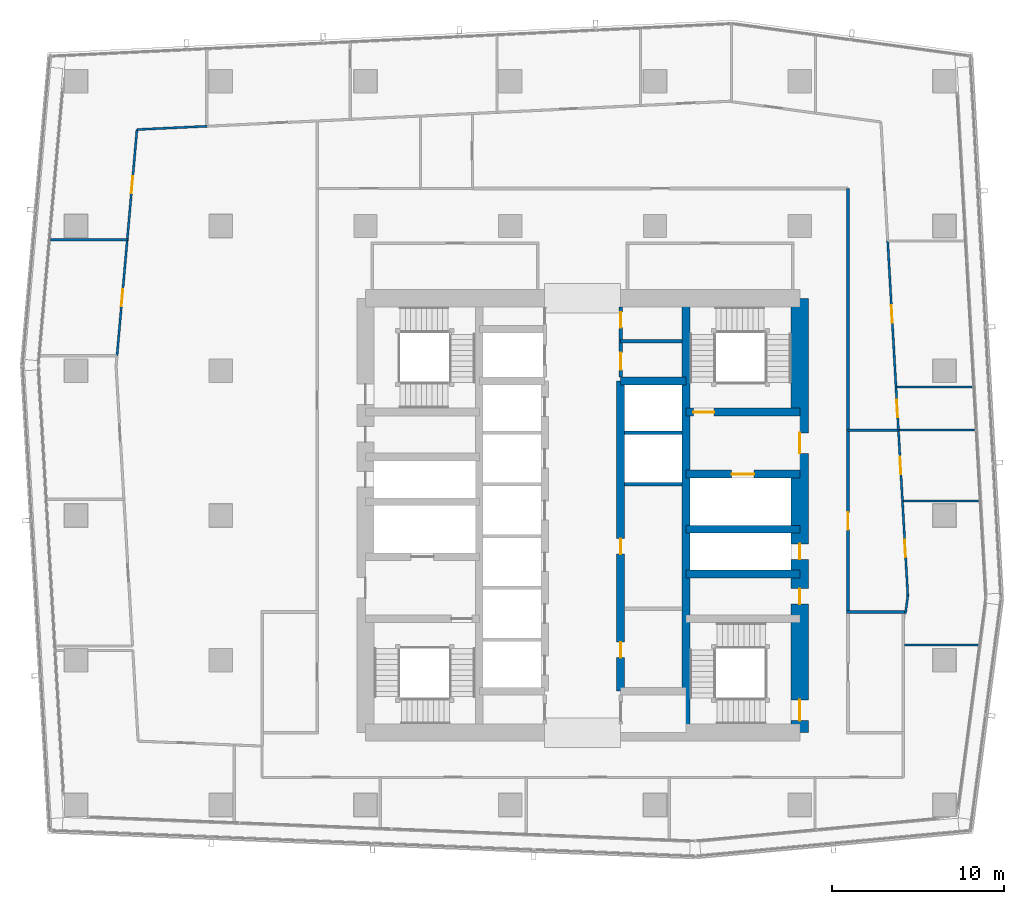
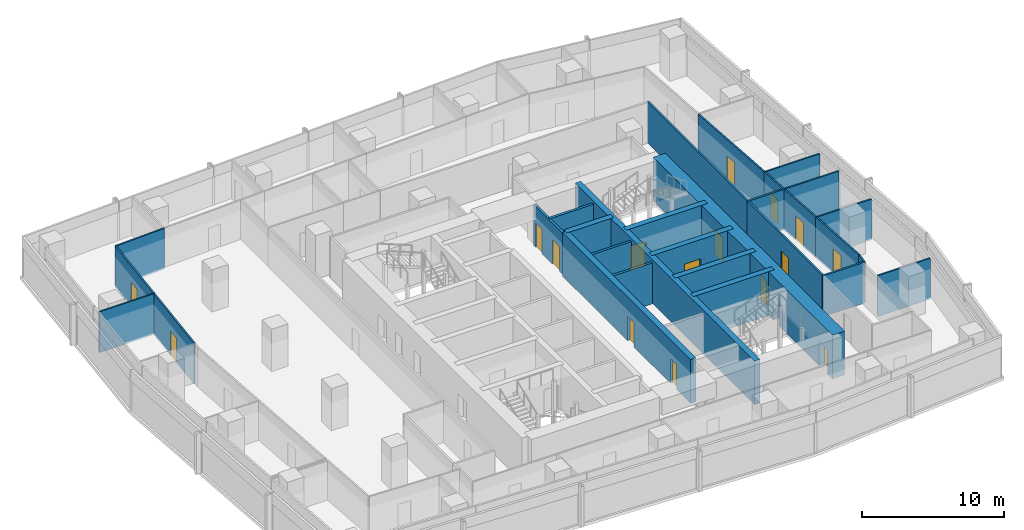
# One storey, part 29 of 39: 29 walls, 17 doors, 17 openings.
"""IFC4 building model written with IfcOpenShell, lengths in metres."""

from ifc_helpers import new_model, si_unit, direction, frame, frame_2d, origin, place, context, subcontext, project, spatial, rectangle, extrude, material, layer, layer_set, type_object, element, fill, save


model = new_model("IFC4")

# Units and contexts
model_context = context("Model", 3, precision=1e-05, world=origin(), true_north=direction((0.0, 1.0)))
body_context = subcontext(model_context, "Body", "Model", "MODEL_VIEW")
ifc_project = project(units=[si_unit("LENGTHUNIT", "METRE"), si_unit("AREAUNIT", "SQUARE_METRE"), si_unit("VOLUMEUNIT", "CUBIC_METRE"), si_unit("PLANEANGLEUNIT", "RADIAN"), si_unit("MASSUNIT", "GRAM", prefix="KILO")], contexts=[model_context])

# Site, building, storey
site_placement = place(None, origin())
site = spatial("IfcSite", under=ifc_project, at=site_placement, CompositionType="ELEMENT")
building_placement = place(site_placement, origin())
building = spatial("IfcBuilding", under=site, at=building_placement, Name="Rekha Terrace Tower", CompositionType="ELEMENT")
storey_placement = place(building_placement, frame((0.0, 0.0, 187.699951171875)))
storey = spatial("IfcBuildingStorey", under=building, at=storey_placement, Name="L47", CompositionType="ELEMENT", Elevation=187.699951171875)

# Wall
ifc_material_1 = material(Name="Concrete M60", Category="concrete")
ifc_layer_1 = layer(ifc_material_1, 0.449951171875)
ifc_layer_set_1 = layer_set([ifc_layer_1], Name="Concrete M60")
wall_type_1 = type_object("IfcWallType", Name="CI3 450 core internal shear wall", PredefinedType="SHEAR", material=ifc_layer_set_1)
wall_1_placement = place(storey_placement, frame((43.800048828125, 21.0, 0.0), z_axis=(0.0, 0.0, 1.0), x_axis=(0.0, 1.0, 0.0)))
element("IfcWall", 1, at=wall_1_placement, inside=storey, type_object=wall_type_1, Name="Core wall X438 L47", PredefinedType="SHEAR", context=body_context, shape_type="SweptSolid", body=[
    extrude(rectangle(XDim=25.199951171875, YDim=0.449951171875, at=frame_2d((12.60009765625, 0.0))), origin(), (0.0, 0.0, 1.0), 3.75),
])

# Wall, openings, doors
wall_2_placement = place(storey_placement, frame((40.0, 23.39990234375, 0.0), z_axis=(0.0, 0.0, 1.0), x_axis=(0.0, 1.0, 0.0)))
wall_2 = element("IfcWall", 2, at=wall_2_placement, inside=storey, type_object=wall_type_1, Name="Core wall X400 L47", PredefinedType="SHEAR", context=body_context, shape_type="SweptSolid", body=[
    extrude(rectangle(XDim=18.0, YDim=0.449951171875, at=frame_2d((9.0, 0.0))), origin(), (0.0, 0.0, 1.0), 3.75),
])
opening_1_placement = place(wall_2_placement, frame((1.949951171875, 0.0, 0.0)))
opening_1 = element("IfcOpeningElement", 3, at=opening_1_placement, cuts=wall_2, Name="Opening D5", PredefinedType="OPENING", context=body_context, shape_type="SweptSolid", body=[
    extrude(rectangle(XDim=0.89990234375, YDim=2.10009765625, at=frame_2d((0.449951171875, 1.050048828125))), frame((0.0, 0.23486328125, 0.0), z_axis=(0.0, -1.0, 0.0), x_axis=(1.0, 0.0, 0.0)), (0.0, 0.0, 1.0), 0.469970703125),
])
opening_2_placement = place(wall_2_placement, frame((7.949951171875, 0.0, 0.0)))
opening_2 = element("IfcOpeningElement", 4, at=opening_2_placement, cuts=wall_2, Name="Opening D5", PredefinedType="OPENING", context=body_context, shape_type="SweptSolid", body=[
    extrude(rectangle(XDim=0.89990234375, YDim=2.10009765625, at=frame_2d((0.449951171875, 1.050048828125))), frame((0.0, 0.23486328125, 0.0), z_axis=(0.0, -1.0, 0.0), x_axis=(1.0, 0.0, 0.0)), (0.0, 0.0, 1.0), 0.469970703125),
])
ifc_material_2 = material(Name="Steel fire door", Category="steel")
door_type_1 = type_object("IfcDoorType", Name="D5 900x2100 riser access door", OperationType="SINGLE_SWING_LEFT", PredefinedType="DOOR", material=ifc_material_2)
door_1_placement = place(opening_1_placement, origin())
door_1 = element("IfcDoor", 5, at=door_1_placement, inside=storey, type_object=door_type_1, Name="Door records store L47", OperationType="SINGLE_SWING_LEFT", OverallHeight=2.10009765625, OverallWidth=0.89990234375, PredefinedType="DOOR", context=body_context, shape_type="SweptSolid", body=[
    extrude(rectangle(XDim=0.89990234375, YDim=2.10009765625, at=frame_2d((0.449951171875, 1.050048828125))), frame((0.0, 0.02490234375, 0.0), z_axis=(0.0, -1.0, 0.0), x_axis=(1.0, 0.0, 0.0)), (0.0, 0.0, 1.0), 0.050048828125),
])
fill(opening_1, door_1)
door_2_placement = place(opening_2_placement, origin())
door_2 = element("IfcDoor", 6, at=door_2_placement, inside=storey, type_object=door_type_1, Name="Door back-of-house store L47", OperationType="SINGLE_SWING_LEFT", OverallHeight=2.10009765625, OverallWidth=0.89990234375, PredefinedType="DOOR", context=body_context, shape_type="SweptSolid", body=[
    extrude(rectangle(XDim=0.89990234375, YDim=2.10009765625, at=frame_2d((0.449951171875, 1.050048828125))), frame((0.0, 0.02490234375, 0.0), z_axis=(0.0, -1.0, 0.0), x_axis=(1.0, 0.0, 0.0)), (0.0, 0.0, 1.0), 0.050048828125),
])
fill(opening_2, door_2)

# Walls
wall_3_placement = place(storey_placement, frame((40.0, 41.39990234375, 0.0), z_axis=(0.0, 0.0, 1.0), x_axis=(1.0, 0.0, 0.0)))
element("IfcWall", 7, at=wall_3_placement, inside=storey, type_object=wall_type_1, Name="Core wall Y414E L47", PredefinedType="SHEAR", context=body_context, shape_type="SweptSolid", body=[
    extrude(rectangle(XDim=3.800048828125, YDim=0.449951171875, at=frame_2d((1.89990234375, 0.0))), origin(), (0.0, 0.0, 1.0), 3.75),
])
for number, where, z_axis, x_axis, name in (
    (8, (43.800048828125, 30.199951171875, 0.0), (0.0, 0.0, 1.0), (1.0, 0.0, 0.0), "Core wall Y302E L47"),
    (9, (43.800048828125, 32.800048828125, 0.0), (0.0, 0.0, 1.0), (1.0, 0.0, 0.0), "Core wall Y328E L47"),
):
    element("IfcWall", number, at=place(storey_placement, frame(where, z_axis=z_axis, x_axis=x_axis)), inside=storey, type_object=wall_type_1, Name=name, PredefinedType="SHEAR", context=body_context, shape_type="SweptSolid", body=[
        extrude(rectangle(XDim=6.599853515625, YDim=0.449951171875, at=frame_2d((3.2998046875, 0.0))), origin(), (0.0, 0.0, 1.0), 3.75),
    ])

# Wall, opening, door
wall_4_placement = place(storey_placement, frame((43.800048828125, 36.0, 0.0), z_axis=(0.0, 0.0, 1.0), x_axis=(1.0, 0.0, 0.0)))
wall_4 = element("IfcWall", 10, at=wall_4_placement, inside=storey, type_object=wall_type_1, Name="Core wall Y360E L47", PredefinedType="SHEAR", context=body_context, shape_type="SweptSolid", body=[
    extrude(rectangle(XDim=6.599853515625, YDim=0.449951171875, at=frame_2d((3.2998046875, 0.0))), origin(), (0.0, 0.0, 1.0), 3.75),
])
opening_3_placement = place(wall_4_placement, frame((2.64990234375, 0.0, 0.0)))
opening_3 = element("IfcOpeningElement", 11, at=opening_3_placement, cuts=wall_4, Name="Opening LD2", PredefinedType="OPENING", context=body_context, shape_type="SweptSolid", body=[
    extrude(rectangle(XDim=1.300048828125, YDim=2.10009765625, at=frame_2d((0.64990234375, 1.050048828125))), frame((0.0, 0.23486328125, 0.0), z_axis=(0.0, -1.0, 0.0), x_axis=(1.0, 0.0, 0.0)), (0.0, 0.0, 1.0), 0.469970703125),
])
ifc_material_3 = material(Name="Stainless steel sliding landing door", Category="steel")
door_type_2 = type_object("IfcDoorType", Name="LD2 1300x2100 fire lift landing door", OperationType="SLIDING_TO_LEFT", PredefinedType="USERDEFINED", material=ifc_material_3)
door_3_placement = place(opening_3_placement, origin())
door_3 = element("IfcDoor", 12, at=door_3_placement, inside=storey, type_object=door_type_2, Name="Lift FL2 landing door L47", ObjectType="LIFT LANDING DOOR", OperationType="SLIDING_TO_LEFT", OverallHeight=2.10009765625, OverallWidth=1.300048828125, PredefinedType="USERDEFINED", context=body_context, shape_type="SweptSolid", body=[
    extrude(rectangle(XDim=1.300048828125, YDim=2.10009765625, at=frame_2d((0.64990234375, 1.050048828125))), frame((0.0, 0.02490234375, 0.0), z_axis=(0.0, -1.0, 0.0), x_axis=(1.0, 0.0, 0.0)), (0.0, 0.0, 1.0), 0.050048828125),
])
fill(opening_3, door_3)

wall_5_placement = place(storey_placement, frame((43.800048828125, 39.60009765625, 0.0), z_axis=(0.0, 0.0, 1.0), x_axis=(1.0, 0.0, 0.0)))
wall_5 = element("IfcWall", 13, at=wall_5_placement, inside=storey, type_object=wall_type_1, Name="Core wall Y396E L47", PredefinedType="SHEAR", context=body_context, shape_type="SweptSolid", body=[
    extrude(rectangle(XDim=6.599853515625, YDim=0.449951171875, at=frame_2d((3.2998046875, 0.0))), origin(), (0.0, 0.0, 1.0), 3.75),
])
opening_4_placement = place(wall_5_placement, frame((0.425048828125, 0.0, 0.0)))
opening_4 = element("IfcOpeningElement", 14, at=opening_4_placement, cuts=wall_5, Name="Opening D1", PredefinedType="OPENING", context=body_context, shape_type="SweptSolid", body=[
    extrude(rectangle(XDim=1.199951171875, YDim=2.10009765625, at=frame_2d((0.60009765625, 1.050048828125))), frame((0.0, 0.23486328125, 0.0), z_axis=(0.0, -1.0, 0.0), x_axis=(1.0, 0.0, 0.0)), (0.0, 0.0, 1.0), 0.469970703125),
])
door_type_3 = type_object("IfcDoorType", Name="D1 1200x2100 stair fire door", OperationType="SINGLE_SWING_RIGHT", PredefinedType="DOOR", material=ifc_material_2)
door_4_placement = place(opening_4_placement, origin())
door_4 = element("IfcDoor", 15, at=door_4_placement, inside=storey, type_object=door_type_3, Name="Stair ST2 door L47", OperationType="SINGLE_SWING_RIGHT", OverallHeight=2.10009765625, OverallWidth=1.199951171875, PredefinedType="DOOR", context=body_context, shape_type="SweptSolid", body=[
    extrude(rectangle(XDim=1.199951171875, YDim=2.10009765625, at=frame_2d((0.60009765625, 1.050048828125))), frame((0.0, 0.02490234375, 0.0), z_axis=(0.0, -1.0, 0.0), x_axis=(1.0, 0.0, 0.0)), (0.0, 0.0, 1.0), 0.050048828125),
])
fill(opening_4, door_4)

# Wall, openings, doors
ifc_layer_2 = layer(ifc_material_1, 1.0)
ifc_layer_set_2 = layer_set([ifc_layer_2], Name="Concrete M60")
wall_type_2 = type_object("IfcWallType", Name="SW3 1000 core outer shear wall", PredefinedType="SHEAR", material=ifc_layer_set_2)
wall_6_placement = place(storey_placement, frame((50.39990234375, 21.0, 0.0), z_axis=(0.0, 0.0, 1.0), x_axis=(0.0, 1.0, 0.0)))
wall_6 = element("IfcWall", 16, at=wall_6_placement, inside=storey, type_object=wall_type_2, Name="Core wall E L47", PredefinedType="SHEAR", context=body_context, shape_type="SweptSolid", body=[
    extrude(rectangle(XDim=25.199951171875, YDim=1.0, at=frame_2d((12.60009765625, 0.0))), origin(), (0.0, 0.0, 1.0), 3.75),
])
opening_5_placement = place(wall_6_placement, frame((16.199951171875, 0.0, 0.0)))
opening_5 = element("IfcOpeningElement", 17, at=opening_5_placement, cuts=wall_6, Name="Opening D2", PredefinedType="OPENING", context=body_context, shape_type="SweptSolid", body=[
    extrude(rectangle(XDim=1.199951171875, YDim=2.10009765625, at=frame_2d((0.60009765625, 1.050048828125))), frame((0.0, 0.510009765625, 0.0), z_axis=(0.0, -1.0, 0.0), x_axis=(1.0, 0.0, 0.0)), (0.0, 0.0, 1.0), 1.02001953125),
])
opening_6_placement = place(wall_6_placement, frame((10.050048828125, 0.0, 0.0)))
opening_6 = element("IfcOpeningElement", 18, at=opening_6_placement, cuts=wall_6, Name="Opening D5", PredefinedType="OPENING", context=body_context, shape_type="SweptSolid", body=[
    extrude(rectangle(XDim=0.89990234375, YDim=2.10009765625, at=frame_2d((0.449951171875, 1.050048828125))), frame((0.0, 0.510009765625, 0.0), z_axis=(0.0, -1.0, 0.0), x_axis=(1.0, 0.0, 0.0)), (0.0, 0.0, 1.0), 1.02001953125),
])
opening_7_placement = place(wall_6_placement, frame((7.449951171875, 0.0, 0.0)))
opening_7 = element("IfcOpeningElement", 19, at=opening_7_placement, cuts=wall_6, Name="Opening D5", PredefinedType="OPENING", context=body_context, shape_type="SweptSolid", body=[
    extrude(rectangle(XDim=0.89990234375, YDim=2.10009765625, at=frame_2d((0.449951171875, 1.050048828125))), frame((0.0, 0.510009765625, 0.0), z_axis=(0.0, -1.0, 0.0), x_axis=(1.0, 0.0, 0.0)), (0.0, 0.0, 1.0), 1.02001953125),
])
opening_8_placement = place(wall_6_placement, frame((0.699951171875, 0.0, 0.0)))
opening_8 = element("IfcOpeningElement", 20, at=opening_8_placement, cuts=wall_6, Name="Opening D1", PredefinedType="OPENING", context=body_context, shape_type="SweptSolid", body=[
    extrude(rectangle(XDim=1.199951171875, YDim=2.10009765625, at=frame_2d((0.60009765625, 1.050048828125))), frame((0.0, 0.510009765625, 0.0), z_axis=(0.0, -1.0, 0.0), x_axis=(1.0, 0.0, 0.0)), (0.0, 0.0, 1.0), 1.02001953125),
])
door_5_placement = place(opening_8_placement, origin())
door_5 = element("IfcDoor", 21, at=door_5_placement, inside=storey, type_object=door_type_3, Name="Stair ST3 door L47", OperationType="SINGLE_SWING_RIGHT", OverallHeight=2.10009765625, OverallWidth=1.199951171875, PredefinedType="DOOR", context=body_context, shape_type="SweptSolid", body=[
    extrude(rectangle(XDim=1.199951171875, YDim=2.10009765625, at=frame_2d((0.60009765625, 1.050048828125))), frame((0.0, 0.02490234375, 0.0), z_axis=(0.0, -1.0, 0.0), x_axis=(1.0, 0.0, 0.0)), (0.0, 0.0, 1.0), 0.050048828125),
])
fill(opening_8, door_5)
door_type_4 = type_object("IfcDoorType", Name="D2 1200x2100 firefighting lobby door", OperationType="SINGLE_SWING_LEFT", PredefinedType="DOOR", material=ifc_material_2)
door_6_placement = place(opening_5_placement, origin())
door_6 = element("IfcDoor", 22, at=door_6_placement, inside=storey, type_object=door_type_4, Name="Door flb2 L47", OperationType="SINGLE_SWING_LEFT", OverallHeight=2.10009765625, OverallWidth=1.199951171875, PredefinedType="DOOR", context=body_context, shape_type="SweptSolid", body=[
    extrude(rectangle(XDim=1.199951171875, YDim=2.10009765625, at=frame_2d((0.60009765625, 1.050048828125))), frame((0.0, 0.02490234375, 0.0), z_axis=(0.0, -1.0, 0.0), x_axis=(1.0, 0.0, 0.0)), (0.0, 0.0, 1.0), 0.050048828125),
])
fill(opening_5, door_6)
door_7_placement = place(opening_6_placement, origin())
door_7 = element("IfcDoor", 23, at=door_7_placement, inside=storey, type_object=door_type_1, Name="Door rs2 L47", OperationType="SINGLE_SWING_LEFT", OverallHeight=2.10009765625, OverallWidth=0.89990234375, PredefinedType="DOOR", context=body_context, shape_type="SweptSolid", body=[
    extrude(rectangle(XDim=0.89990234375, YDim=2.10009765625, at=frame_2d((0.449951171875, 1.050048828125))), frame((0.0, 0.02490234375, 0.0), z_axis=(0.0, -1.0, 0.0), x_axis=(1.0, 0.0, 0.0)), (0.0, 0.0, 1.0), 0.050048828125),
])
fill(opening_6, door_7)
door_8_placement = place(opening_7_placement, origin())
door_8 = element("IfcDoor", 24, at=door_8_placement, inside=storey, type_object=door_type_1, Name="Door ele L47", OperationType="SINGLE_SWING_LEFT", OverallHeight=2.10009765625, OverallWidth=0.89990234375, PredefinedType="DOOR", context=body_context, shape_type="SweptSolid", body=[
    extrude(rectangle(XDim=0.89990234375, YDim=2.10009765625, at=frame_2d((0.449951171875, 1.050048828125))), frame((0.0, 0.02490234375, 0.0), z_axis=(0.0, -1.0, 0.0), x_axis=(1.0, 0.0, 0.0)), (0.0, 0.0, 1.0), 0.050048828125),
])
fill(opening_7, door_8)

# Wall
ifc_material_4 = material(Name="Concrete block masonry, 1 hour", Category="masonry")
ifc_layer_3 = layer(ifc_material_4, 0.14990234375)
ifc_layer_set_3 = layer_set([ifc_layer_3], Name="Concrete block masonry, 1 hour")
wall_type_3 = type_object("IfcWallType", Name="WP2 150 tenancy partition", PredefinedType="PARTITIONING", material=ifc_layer_set_3)
wall_7_placement = place(storey_placement, frame((53.125, 28.0, 0.0), z_axis=(0.0, 0.0, 1.0), x_axis=(1.0, 0.0, 0.0)))
element("IfcWall", 25, at=wall_7_placement, inside=storey, type_object=wall_type_3, Name="Men's WC wall L47", PredefinedType="PARTITIONING", context=body_context, shape_type="SweptSolid", body=[
    extrude(rectangle(XDim=3.35009765625, YDim=0.14990234375, at=frame_2d((1.675048828125, 0.0))), origin(), (0.0, 0.0, 1.0), 3.5),
])

# Wall, opening, door
wall_8_placement = place(storey_placement, frame((53.199951171875, 28.074951171875, 0.0), z_axis=(0.0, 0.0, 1.0), x_axis=(0.0, 1.0, 0.0)))
wall_8 = element("IfcWall", 26, at=wall_8_placement, inside=storey, type_object=wall_type_3, Name="Partition L47-O1", PredefinedType="PARTITIONING", context=body_context, shape_type="SweptSolid", body=[
    extrude(rectangle(XDim=10.47998046875, YDim=0.14990234375, at=frame_2d((5.239990234375, 0.0))), origin(), (0.0, 0.0, 1.0), 3.5),
])
opening_9_placement = place(wall_8_placement, frame((4.702880859375, 0.0, 0.0)))
opening_9 = element("IfcOpeningElement", 27, at=opening_9_placement, cuts=wall_8, Name="Opening D9", PredefinedType="OPENING", context=body_context, shape_type="SweptSolid", body=[
    extrude(rectangle(XDim=1.0, YDim=2.10009765625, at=frame_2d((0.5, 1.050048828125))), frame((0.0, 0.0849609375, 0.0), z_axis=(0.0, -1.0, 0.0), x_axis=(1.0, 0.0, 0.0)), (0.0, 0.0, 1.0), 0.169921875),
])
ifc_material_5 = material(Name="Timber fire door", Category="wood")
door_type_5 = type_object("IfcDoorType", Name="D9 1000x2100 office door", OperationType="SINGLE_SWING_LEFT", PredefinedType="DOOR", material=ifc_material_5)
door_9_placement = place(opening_9_placement, origin())
door_9 = element("IfcDoor", 28, at=door_9_placement, inside=storey, type_object=door_type_5, Name="Door open-plan office L47", OperationType="SINGLE_SWING_LEFT", OverallHeight=2.10009765625, OverallWidth=1.0, PredefinedType="DOOR", context=body_context, shape_type="SweptSolid", body=[
    extrude(rectangle(XDim=1.0, YDim=2.10009765625, at=frame_2d((0.5, 1.050048828125))), frame((0.0, 0.02490234375, 0.0), z_axis=(0.0, -1.0, 0.0), x_axis=(1.0, 0.0, 0.0)), (0.0, 0.0, 1.0), 0.050048828125),
])
fill(opening_9, door_9)

# Walls
wall_9_placement = place(storey_placement, frame((53.199951171875, 38.554931640625, 0.0), z_axis=(0.0, 0.0, 1.0), x_axis=(1.0, 0.0, 0.0)))
element("IfcWall", 29, at=wall_9_placement, inside=storey, type_object=wall_type_3, Name="Partition L47-O1", PredefinedType="PARTITIONING", context=body_context, shape_type="SweptSolid", body=[
    extrude(rectangle(XDim=2.924072265625, YDim=0.14990234375, at=frame_2d((1.4619140625, 0.0))), origin(), (0.0, 0.0, 1.0), 3.5),
])
wall_10_placement = place(storey_placement, frame((53.199951171875, 38.555908203125, 0.0), z_axis=(0.0, 0.0, 1.0), x_axis=(0.0, 1.0, 0.0)))
element("IfcWall", 30, at=wall_10_placement, inside=storey, type_object=wall_type_3, Name="Partition L47-O2", PredefinedType="PARTITIONING", context=body_context, shape_type="SweptSolid", body=[
    extrude(rectangle(XDim=14.01904296875, YDim=0.14990234375, at=frame_2d((7.009521484375, 0.0))), origin(), (0.0, 0.0, 1.0), 3.5),
])
ifc_material_6 = material(Name="Two layers of fire-rated gypsum board each side on steel studs, acoustic quilt, 1 hour", Category="steel")
ifc_layer_4 = layer(ifc_material_6, 0.125)
ifc_layer_set_4 = layer_set([ifc_layer_4], Name="Two layers of fire-rated gypsum board each side on steel studs, acoustic quilt, 1 hour")
wall_type_4 = type_object("IfcWallType", Name="WP3 125 office partition", PredefinedType="PARTITIONING", material=ifc_layer_set_4)
wall_11_placement = place(storey_placement, frame((56.47509765625, 26.0830078125, 0.0), z_axis=(0.0, 0.0, 1.0), x_axis=(1.0, 0.0, 0.0)))
element("IfcWall", 31, at=wall_11_placement, inside=storey, type_object=wall_type_4, Name="Partition L47-04", PredefinedType="PARTITIONING", context=body_context, shape_type="SweptSolid", body=[
    extrude(rectangle(XDim=4.302978515625, YDim=0.125, at=frame_2d((2.1513671875, 0.0))), origin(), (0.0, 0.0, 1.0), 3.5),
])

# Wall, opening, door
wall_12_placement = place(storey_placement, frame((56.6689453125, 28.948974609375, 0.0), z_axis=(0.0, 0.0, 1.0), x_axis=(-0.056624490323, 0.998395546412, 0.0)))
wall_12 = element("IfcWall", 32, at=wall_12_placement, inside=storey, type_object=wall_type_4, Name="Partition L47-05", PredefinedType="PARTITIONING", context=body_context, shape_type="SweptSolid", body=[
    extrude(rectangle(XDim=5.492919921875, YDim=0.125, at=frame_2d((2.74658203125, 0.0))), origin(), (0.0, 0.0, 1.0), 3.5),
])
opening_10_placement = place(wall_12_placement, frame((2.24609375, 0.0, 0.0)))
opening_10 = element("IfcOpeningElement", 33, at=opening_10_placement, cuts=wall_12, Name="Opening D9", PredefinedType="OPENING", context=body_context, shape_type="SweptSolid", body=[
    extrude(rectangle(XDim=1.0, YDim=2.10009765625, at=frame_2d((0.5, 1.050048828125))), frame((0.0, 0.072509765625, 0.0), z_axis=(0.0, -1.0, 0.0), x_axis=(1.0, 0.0, 0.0)), (0.0, 0.0, 1.0), 0.14501953125),
])
door_10_placement = place(opening_10_placement, origin())
door_10 = element("IfcDoor", 34, at=door_10_placement, inside=storey, type_object=door_type_5, Name="Door office L47", OperationType="SINGLE_SWING_LEFT", OverallHeight=2.10009765625, OverallWidth=1.0, PredefinedType="DOOR", context=body_context, shape_type="SweptSolid", body=[
    extrude(rectangle(XDim=1.0, YDim=2.10009765625, at=frame_2d((0.5, 1.050048828125))), frame((0.0, 0.02490234375, 0.0), z_axis=(0.0, -1.0, 0.0), x_axis=(1.0, 0.0, 0.0)), (0.0, 0.0, 1.0), 0.050048828125),
])
fill(opening_10, door_10)

# Walls
wall_13_placement = place(storey_placement, frame((56.35791015625, 34.43310546875, 0.0), z_axis=(0.0, 0.0, 1.0), x_axis=(1.0, 0.0, 0.0)))
element("IfcWall", 35, at=wall_13_placement, inside=storey, type_object=wall_type_4, Name="Partition L47-05", PredefinedType="PARTITIONING", context=body_context, shape_type="SweptSolid", body=[
    extrude(rectangle(XDim=4.45703125, YDim=0.125, at=frame_2d((2.228515625, 0.0))), origin(), (0.0, 0.0, 1.0), 3.5),
])
wall_14_placement = place(storey_placement, frame((56.532958984375, 27.91796875, 0.0), z_axis=(0.0, 0.0, 1.0), x_axis=(0.130764223689, 0.991413494866, 0.0)))
element("IfcWall", 36, at=wall_14_placement, inside=storey, type_object=wall_type_4, Name="Partition L47-05", PredefinedType="PARTITIONING", context=body_context, shape_type="SweptSolid", body=[
    extrude(rectangle(XDim=1.0400390625, YDim=0.125, at=frame_2d((0.52001953125, 0.0))), origin(), (0.0, 0.0, 1.0), 3.5),
])

# Wall, opening, door
wall_15_placement = place(storey_placement, frame((56.35791015625, 34.43408203125, 0.0), z_axis=(0.0, 0.0, 1.0), x_axis=(-0.056665720273, 0.998393207181, 0.0)))
wall_15 = element("IfcWall", 37, at=wall_15_placement, inside=storey, type_object=wall_type_4, Name="Partition L47-06", PredefinedType="PARTITIONING", context=body_context, shape_type="SweptSolid", body=[
    extrude(rectangle(XDim=4.12744140625, YDim=0.125, at=frame_2d((2.063720703125, 0.0))), origin(), (0.0, 0.0, 1.0), 3.5),
])
opening_11_placement = place(wall_15_placement, frame((1.56396484375, 0.0, 0.0)))
opening_11 = element("IfcOpeningElement", 38, at=opening_11_placement, cuts=wall_15, Name="Opening D9", PredefinedType="OPENING", context=body_context, shape_type="SweptSolid", body=[
    extrude(rectangle(XDim=1.0, YDim=2.10009765625, at=frame_2d((0.5, 1.050048828125))), frame((0.0, 0.072509765625, 0.0), z_axis=(0.0, -1.0, 0.0), x_axis=(1.0, 0.0, 0.0)), (0.0, 0.0, 1.0), 0.14501953125),
])
door_11_placement = place(opening_11_placement, origin())
door_11 = element("IfcDoor", 39, at=door_11_placement, inside=storey, type_object=door_type_5, Name="Door office L47", OperationType="SINGLE_SWING_LEFT", OverallHeight=2.10009765625, OverallWidth=1.0, PredefinedType="DOOR", context=body_context, shape_type="SweptSolid", body=[
    extrude(rectangle(XDim=1.0, YDim=2.10009765625, at=frame_2d((0.5, 1.050048828125))), frame((0.0, 0.02490234375, 0.0), z_axis=(0.0, -1.0, 0.0), x_axis=(1.0, 0.0, 0.0)), (0.0, 0.0, 1.0), 0.050048828125),
])
fill(opening_11, door_11)

# Wall
wall_16_placement = place(storey_placement, frame((56.1240234375, 38.554931640625, 0.0), z_axis=(0.0, 0.0, 1.0), x_axis=(1.0, 0.0, 0.0)))
element("IfcWall", 40, at=wall_16_placement, inside=storey, type_object=wall_type_4, Name="Partition L47-06", PredefinedType="PARTITIONING", context=body_context, shape_type="SweptSolid", body=[
    extrude(rectangle(XDim=4.427001953125, YDim=0.125, at=frame_2d((2.21337890625, 0.0))), origin(), (0.0, 0.0, 1.0), 3.5),
])

# Wall, opening, door
wall_17_placement = place(storey_placement, frame((56.1240234375, 38.555908203125, 0.0), z_axis=(0.0, 0.0, 1.0), x_axis=(-0.056788583238, 0.998386226274, 0.0)))
wall_17 = element("IfcWall", 41, at=wall_17_placement, inside=storey, type_object=wall_type_4, Name="Partition L47-10", PredefinedType="PARTITIONING", context=body_context, shape_type="SweptSolid", body=[
    extrude(rectangle(XDim=2.502197265625, YDim=0.125, at=frame_2d((1.2509765625, 0.0))), origin(), (0.0, 0.0, 1.0), 3.5),
])
opening_12_placement = place(wall_17_placement, frame((0.7509765625, 0.0, 0.0)))
opening_12 = element("IfcOpeningElement", 42, at=opening_12_placement, cuts=wall_17, Name="Opening D9", PredefinedType="OPENING", context=body_context, shape_type="SweptSolid", body=[
    extrude(rectangle(XDim=1.0, YDim=2.10009765625, at=frame_2d((0.5, 1.050048828125))), frame((0.0, 0.072509765625, 0.0), z_axis=(0.0, -1.0, 0.0), x_axis=(1.0, 0.0, 0.0)), (0.0, 0.0, 1.0), 0.14501953125),
])
door_12_placement = place(opening_12_placement, origin())
door_12 = element("IfcDoor", 43, at=door_12_placement, inside=storey, type_object=door_type_5, Name="Door office L47", OperationType="SINGLE_SWING_LEFT", OverallHeight=2.10009765625, OverallWidth=1.0, PredefinedType="DOOR", context=body_context, shape_type="SweptSolid", body=[
    extrude(rectangle(XDim=1.0, YDim=2.10009765625, at=frame_2d((0.5, 1.050048828125))), frame((0.0, 0.02490234375, 0.0), z_axis=(0.0, -1.0, 0.0), x_axis=(1.0, 0.0, 0.0)), (0.0, 0.0, 1.0), 0.050048828125),
])
fill(opening_12, door_12)

# Wall
wall_18_placement = place(storey_placement, frame((55.98193359375, 41.053955078125, 0.0), z_axis=(0.0, 0.0, 1.0), x_axis=(1.0, 0.0, 0.0)))
element("IfcWall", 44, at=wall_18_placement, inside=storey, type_object=wall_type_4, Name="Partition L47-10", PredefinedType="PARTITIONING", context=body_context, shape_type="SweptSolid", body=[
    extrude(rectangle(XDim=4.45703125, YDim=0.125, at=frame_2d((2.228515625, 0.0))), origin(), (0.0, 0.0, 1.0), 3.5),
])

# Wall, opening, door
wall_19_placement = place(storey_placement, frame((55.98193359375, 41.054931640625, 0.0), z_axis=(0.0, 0.0, 1.0), x_axis=(-0.056610250967, 0.998396353902, 0.0)))
wall_19 = element("IfcWall", 45, at=wall_19_placement, inside=storey, type_object=wall_type_4, Name="Partition L47-11", PredefinedType="PARTITIONING", context=body_context, shape_type="SweptSolid", body=[
    extrude(rectangle(XDim=8.478759765625, YDim=0.125, at=frame_2d((4.2392578125, 0.0))), origin(), (0.0, 0.0, 1.0), 3.5),
])
opening_13_placement = place(wall_19_placement, frame((3.739013671875, 0.0, 0.0)))
opening_13 = element("IfcOpeningElement", 46, at=opening_13_placement, cuts=wall_19, Name="Opening D9", PredefinedType="OPENING", context=body_context, shape_type="SweptSolid", body=[
    extrude(rectangle(XDim=1.0, YDim=2.10009765625, at=frame_2d((0.5, 1.050048828125))), frame((0.0, 0.072509765625, 0.0), z_axis=(0.0, -1.0, 0.0), x_axis=(1.0, 0.0, 0.0)), (0.0, 0.0, 1.0), 0.14501953125),
])
door_13_placement = place(opening_13_placement, origin())
door_13 = element("IfcDoor", 47, at=door_13_placement, inside=storey, type_object=door_type_5, Name="Door office L47", OperationType="SINGLE_SWING_LEFT", OverallHeight=2.10009765625, OverallWidth=1.0, PredefinedType="DOOR", context=body_context, shape_type="SweptSolid", body=[
    extrude(rectangle(XDim=1.0, YDim=2.10009765625, at=frame_2d((0.5, 1.050048828125))), frame((0.0, 0.02490234375, 0.0), z_axis=(0.0, -1.0, 0.0), x_axis=(1.0, 0.0, 0.0)), (0.0, 0.0, 1.0), 0.050048828125),
])
fill(opening_13, door_13)

# Walls
wall_20_placement = place(storey_placement, frame((11.3740234375, 49.60205078125, 0.0), z_axis=(0.0, 0.0, 1.0), x_axis=(-1.0, 0.0, 0.0)))
element("IfcWall", 48, at=wall_20_placement, inside=storey, type_object=wall_type_4, Name="Partition L47-18", PredefinedType="PARTITIONING", context=body_context, shape_type="SweptSolid", body=[
    extrude(rectangle(XDim=4.468017578125, YDim=0.125, at=frame_2d((2.23388671875, 0.0))), origin(), (0.0, 0.0, 1.0), 3.5),
])
wall_21_placement = place(storey_placement, frame((15.989013671875, 56.18603515625, 0.0), z_axis=(0.0, 0.0, 1.0), x_axis=(-0.998865684895, -0.047616630914, 0.0)))
element("IfcWall", 49, at=wall_21_placement, inside=storey, type_object=wall_type_4, Name="Partition L47-18", PredefinedType="PARTITIONING", context=body_context, shape_type="SweptSolid", body=[
    extrude(rectangle(XDim=4.0556640625, YDim=0.125, at=frame_2d((2.02783203125, 0.0))), origin(), (0.0, 0.0, 1.0), 3.5),
])

# Wall, opening, door
wall_22_placement = place(storey_placement, frame((11.93798828125, 55.992919921875, 0.0), z_axis=(0.0, 0.0, 1.0), x_axis=(-0.087903805485, -0.996128968046, 0.0)))
wall_22 = element("IfcWall", 50, at=wall_22_placement, inside=storey, type_object=wall_type_4, Name="Partition L47-18", PredefinedType="PARTITIONING", context=body_context, shape_type="SweptSolid", body=[
    extrude(rectangle(XDim=6.415771484375, YDim=0.125, at=frame_2d((3.2080078125, 0.0))), origin(), (0.0, 0.0, 1.0), 3.5),
])
opening_14_placement = place(wall_22_placement, frame((2.7080078125, 0.0, 0.0)))
opening_14 = element("IfcOpeningElement", 51, at=opening_14_placement, cuts=wall_22, Name="Opening D9", PredefinedType="OPENING", context=body_context, shape_type="SweptSolid", body=[
    extrude(rectangle(XDim=1.0, YDim=2.10009765625, at=frame_2d((0.5, 1.050048828125))), frame((0.0, 0.072509765625, 0.0), z_axis=(0.0, -1.0, 0.0), x_axis=(1.0, 0.0, 0.0)), (0.0, 0.0, 1.0), 0.14501953125),
])
door_14_placement = place(opening_14_placement, origin())
door_14 = element("IfcDoor", 52, at=door_14_placement, inside=storey, type_object=door_type_5, Name="Door director's office L47", OperationType="SINGLE_SWING_LEFT", OverallHeight=2.10009765625, OverallWidth=1.0, PredefinedType="DOOR", context=body_context, shape_type="SweptSolid", body=[
    extrude(rectangle(XDim=1.0, YDim=2.10009765625, at=frame_2d((0.5, 1.050048828125))), frame((0.0, 0.02490234375, 0.0), z_axis=(0.0, -1.0, 0.0), x_axis=(1.0, 0.0, 0.0)), (0.0, 0.0, 1.0), 0.050048828125),
])
fill(opening_14, door_14)

wall_23_placement = place(storey_placement, frame((11.3740234375, 49.60107421875, 0.0), z_axis=(0.0, 0.0, 1.0), x_axis=(-0.087919121044, -0.9961276164, 0.0)))
wall_23 = element("IfcWall", 53, at=wall_23_placement, inside=storey, type_object=wall_type_4, Name="Partition L47-19", PredefinedType="PARTITIONING", context=body_context, shape_type="SweptSolid", body=[
    extrude(rectangle(XDim=6.756103515625, YDim=0.125, at=frame_2d((3.3779296875, 0.0))), origin(), (0.0, 0.0, 1.0), 3.5),
])
opening_15_placement = place(wall_23_placement, frame((2.8779296875, 0.0, 0.0)))
opening_15 = element("IfcOpeningElement", 54, at=opening_15_placement, cuts=wall_23, Name="Opening D9", PredefinedType="OPENING", context=body_context, shape_type="SweptSolid", body=[
    extrude(rectangle(XDim=1.0, YDim=2.10009765625, at=frame_2d((0.5, 1.050048828125))), frame((0.0, 0.072509765625, 0.0), z_axis=(0.0, -1.0, 0.0), x_axis=(1.0, 0.0, 0.0)), (0.0, 0.0, 1.0), 0.14501953125),
])
door_15_placement = place(opening_15_placement, origin())
door_15 = element("IfcDoor", 55, at=door_15_placement, inside=storey, type_object=door_type_5, Name="Door meeting room L47", OperationType="SINGLE_SWING_LEFT", OverallHeight=2.10009765625, OverallWidth=1.0, PredefinedType="DOOR", context=body_context, shape_type="SweptSolid", body=[
    extrude(rectangle(XDim=1.0, YDim=2.10009765625, at=frame_2d((0.5, 1.050048828125))), frame((0.0, 0.02490234375, 0.0), z_axis=(0.0, -1.0, 0.0), x_axis=(1.0, 0.0, 0.0)), (0.0, 0.0, 1.0), 0.050048828125),
])
fill(opening_15, door_15)

# Walls
ifc_material_7 = material(Name="Solid concrete block masonry, 2 hour", Category="masonry")
ifc_layer_5 = layer(ifc_material_7, 0.199951171875)
ifc_layer_set_5 = layer_set([ifc_layer_5], Name="Solid concrete block masonry, 2 hour")
wall_type_5 = type_object("IfcWallType", Name="WS1 200 stair and shaft enclosure", PredefinedType="PARTITIONING", material=ifc_layer_set_5)
for number, where, z_axis, x_axis, name in (
    (56, (40.22509765625, 35.39990234375, 0.0), (0.0, 0.0, 1.0), (1.0, 0.0, 0.0), "Lift shaft divider L47"),
    (57, (40.22509765625, 38.39990234375, 0.0), (0.0, 0.0, 1.0), (1.0, 0.0, 0.0), "Lift shaft divider L47"),
):
    element("IfcWall", number, at=place(storey_placement, frame(where, z_axis=z_axis, x_axis=x_axis)), inside=storey, type_object=wall_type_5, Name=name, PredefinedType="PARTITIONING", context=body_context, shape_type="SweptSolid", body=[
        extrude(rectangle(XDim=3.349853515625, YDim=0.199951171875, at=frame_2d((1.6748046875, 0.0))), origin(), (0.0, 0.0, 1.0), 3.5),
    ])

# Wall, openings, doors
wall_24_placement = place(storey_placement, frame((40.0, 41.625, 0.0), z_axis=(0.0, 0.0, 1.0), x_axis=(0.0, 1.0, 0.0)))
wall_24 = element("IfcWall", 58, at=wall_24_placement, inside=storey, type_object=wall_type_5, Name="Core partition elec L47", PredefinedType="PARTITIONING", context=body_context, shape_type="SweptSolid", body=[
    extrude(rectangle(XDim=4.074951171875, YDim=0.199951171875, at=frame_2d((2.03759765625, 0.0))), origin(), (0.0, 0.0, 1.0), 3.5),
])
opening_16_placement = place(wall_24_placement, frame((2.875, 0.0, 0.0)))
opening_16 = element("IfcOpeningElement", 59, at=opening_16_placement, cuts=wall_24, Name="Opening D5", PredefinedType="OPENING", context=body_context, shape_type="SweptSolid", body=[
    extrude(rectangle(XDim=0.89990234375, YDim=2.10009765625, at=frame_2d((0.449951171875, 1.050048828125))), frame((0.0, 0.10986328125, 0.0), z_axis=(0.0, -1.0, 0.0), x_axis=(1.0, 0.0, 0.0)), (0.0, 0.0, 1.0), 0.219970703125),
])
opening_17_placement = place(wall_24_placement, frame((0.425048828125, 0.0, 0.0)))
opening_17 = element("IfcOpeningElement", 60, at=opening_17_placement, cuts=wall_24, Name="Opening D9", PredefinedType="OPENING", context=body_context, shape_type="SweptSolid", body=[
    extrude(rectangle(XDim=1.0, YDim=2.10009765625, at=frame_2d((0.5, 1.050048828125))), frame((0.0, 0.10986328125, 0.0), z_axis=(0.0, -1.0, 0.0), x_axis=(1.0, 0.0, 0.0)), (0.0, 0.0, 1.0), 0.219970703125),
])
door_16_placement = place(opening_16_placement, origin())
door_16 = element("IfcDoor", 61, at=door_16_placement, inside=storey, type_object=door_type_1, Name="Door electrical room L47", OperationType="SINGLE_SWING_LEFT", OverallHeight=2.10009765625, OverallWidth=0.89990234375, PredefinedType="DOOR", context=body_context, shape_type="SweptSolid", body=[
    extrude(rectangle(XDim=0.89990234375, YDim=2.10009765625, at=frame_2d((0.449951171875, 1.050048828125))), frame((0.0, 0.02490234375, 0.0), z_axis=(0.0, -1.0, 0.0), x_axis=(1.0, 0.0, 0.0)), (0.0, 0.0, 1.0), 0.050048828125),
])
fill(opening_16, door_16)
door_17_placement = place(opening_17_placement, origin())
door_17 = element("IfcDoor", 62, at=door_17_placement, inside=storey, type_object=door_type_5, Name="Door first aid room L47", OperationType="SINGLE_SWING_LEFT", OverallHeight=2.10009765625, OverallWidth=1.0, PredefinedType="DOOR", context=body_context, shape_type="SweptSolid", body=[
    extrude(rectangle(XDim=1.0, YDim=2.10009765625, at=frame_2d((0.5, 1.050048828125))), frame((0.0, 0.02490234375, 0.0), z_axis=(0.0, -1.0, 0.0), x_axis=(1.0, 0.0, 0.0)), (0.0, 0.0, 1.0), 0.050048828125),
])
fill(opening_17, door_17)

# Wall
wall_25_placement = place(storey_placement, frame((40.0, 43.699951171875, 0.0), z_axis=(0.0, 0.0, 1.0), x_axis=(1.0, 0.0, 0.0)))
element("IfcWall", 63, at=wall_25_placement, inside=storey, type_object=wall_type_5, Name="Core partition elx L47", PredefinedType="PARTITIONING", context=body_context, shape_type="SweptSolid", body=[
    extrude(rectangle(XDim=3.574951171875, YDim=0.199951171875, at=frame_2d((1.78759765625, 0.0))), origin(), (0.0, 0.0, 1.0), 3.5),
])

save(model, "model.ifc")
